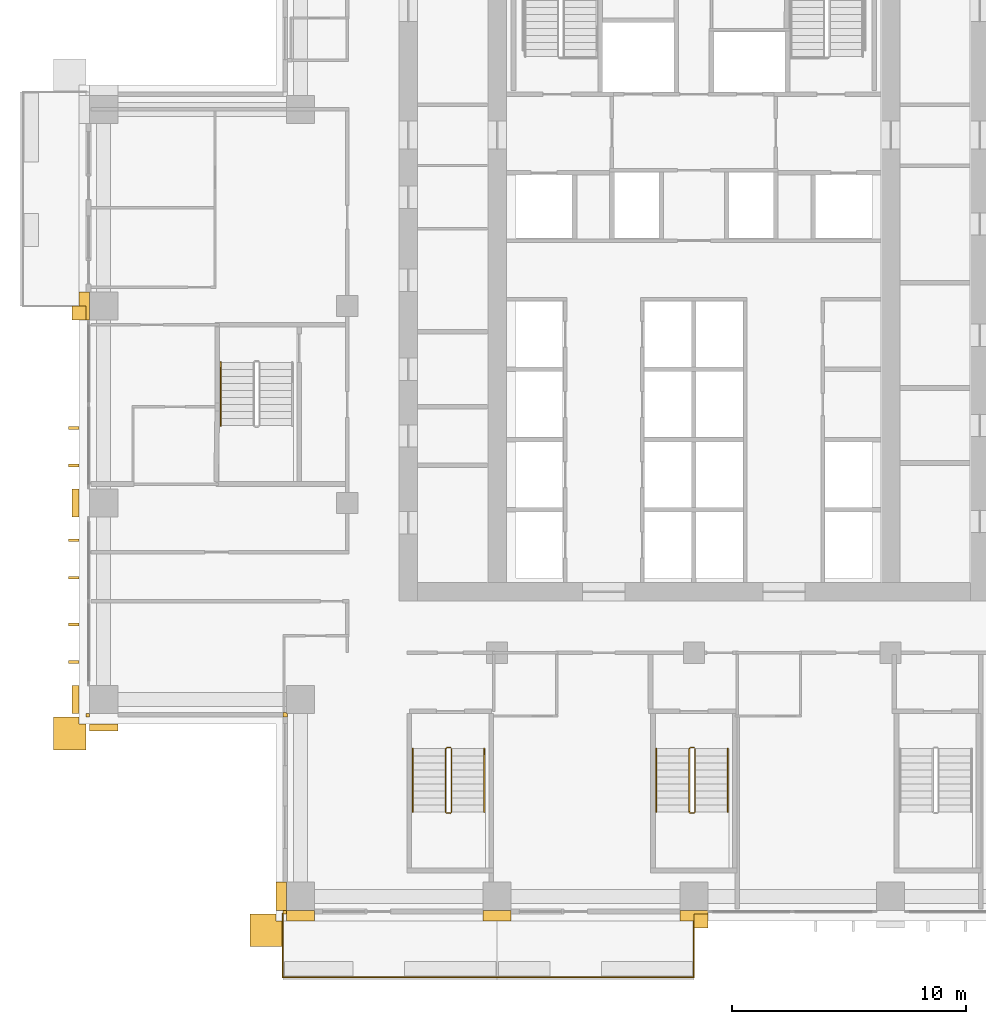
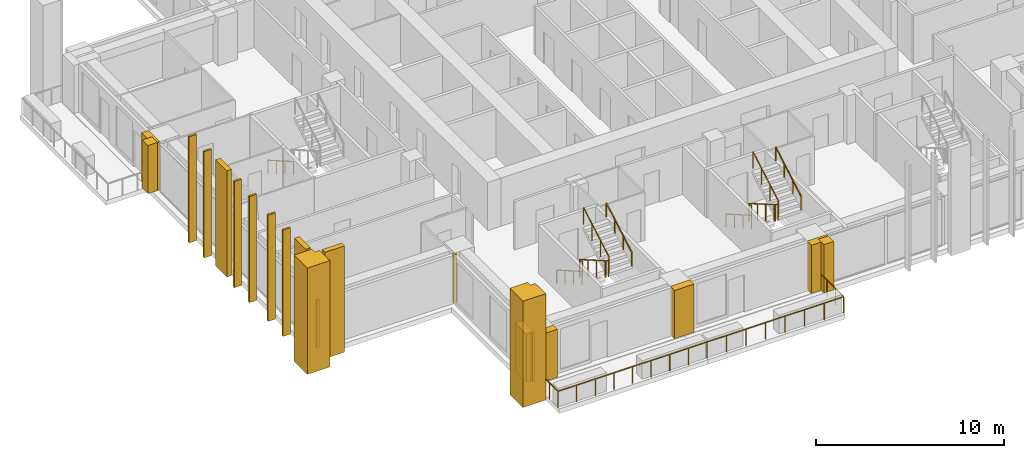
# One storey, part 13 of 17: 21 coverings, 9 railings.
"""IFC4 building model written with IfcOpenShell, lengths in metres."""

from ifc_helpers import new_model, si_unit, direction, frame, origin, origin_2d, place, context, subcontext, project, spatial, polyline, rectangle, outline, extrude, material, layer, layer_set, type_object, element, save


model = new_model("IFC4")

# Units and contexts
model_context = context("Model", 3, precision=1e-05, world=origin(), true_north=direction((0.0, 1.0)))
body_context = subcontext(model_context, "Body", "Model", "MODEL_VIEW")
ifc_project = project(units=[si_unit("LENGTHUNIT", "METRE"), si_unit("AREAUNIT", "SQUARE_METRE"), si_unit("VOLUMEUNIT", "CUBIC_METRE"), si_unit("PLANEANGLEUNIT", "RADIAN"), si_unit("MASSUNIT", "GRAM", prefix="KILO")], contexts=[model_context])

# Site, building, storey
site_placement = place(None, origin())
site = spatial("IfcSite", under=ifc_project, at=site_placement, CompositionType="ELEMENT")
building_placement = place(site_placement, origin())
building = spatial("IfcBuilding", under=site, at=building_placement, Name="Vermilion Ogive Tower", CompositionType="ELEMENT")
storey_placement = place(building_placement, frame((0.0, 0.0, 111.449951171875)))
storey = spatial("IfcBuildingStorey", under=building, at=storey_placement, Name="L28", CompositionType="ELEMENT", Elevation=111.449951171875)

# Railings
ifc_material_1 = material(Name="Stainless steel and glass", Category="steel")
railing_type_1 = type_object("IfcRailingType", Name="Balcony guard", PredefinedType="GUARDRAIL", material=ifc_material_1)
railing_1_placement = place(storey_placement, frame((-17.550048828125, -21.75, -0.0400390625)))
element("IfcRailing", 1, at=railing_1_placement, inside=storey, type_object=railing_type_1, Name="Guard S01", PredefinedType="GUARDRAIL", context=body_context, shape_type="SweptSolid", body=[
    extrude(rectangle(XDim=0.048095703125, YDim=0.048095703125, at=origin_2d()), frame((0.0, 0.0, 1.076171875), z_axis=(0.0, -1.0, 0.0), x_axis=(1.0, 0.0, 0.0)), (0.0, 0.0, 1.0), 2.7041015625),
    extrude(rectangle(XDim=0.048095703125, YDim=0.048095703125, at=origin_2d()), frame((0.0, -2.7041015625, 1.076171875), z_axis=(1.0, 0.0, 0.0), x_axis=(0.0, 1.0, 0.0)), (0.0, 0.0, 1.0), 9.150146484375),
    extrude(rectangle(XDim=0.0419921875, YDim=0.0419921875, at=origin_2d()), origin(), (0.0, 0.0, 1.0), 1.052001953125),
    extrude(rectangle(XDim=0.0419921875, YDim=0.0419921875, at=origin_2d()), frame((0.0, -0.9013671875, 0.0)), (0.0, 0.0, 1.0), 1.052001953125),
    extrude(rectangle(XDim=0.0419921875, YDim=0.0419921875, at=origin_2d()), frame((0.0, -1.802734375, 0.0)), (0.0, 0.0, 1.0), 1.052001953125),
    extrude(rectangle(XDim=0.0419921875, YDim=0.0419921875, at=origin_2d()), frame((0.0, -2.7041015625, 0.0)), (0.0, 0.0, 1.0), 1.052001953125),
    extrude(rectangle(XDim=0.0419921875, YDim=0.0419921875, at=origin_2d()), frame((1.143798828125, -2.7041015625, 0.0)), (0.0, 0.0, 1.0), 1.052001953125),
    extrude(rectangle(XDim=0.0419921875, YDim=0.0419921875, at=origin_2d()), frame((2.28759765625, -2.7041015625, 0.0)), (0.0, 0.0, 1.0), 1.052001953125),
    extrude(rectangle(XDim=0.0419921875, YDim=0.0419921875, at=origin_2d()), frame((3.431396484375, -2.7041015625, 0.0)), (0.0, 0.0, 1.0), 1.052001953125),
    extrude(rectangle(XDim=0.0419921875, YDim=0.0419921875, at=origin_2d()), frame((4.5751953125, -2.7041015625, 0.0)), (0.0, 0.0, 1.0), 1.052001953125),
    extrude(rectangle(XDim=0.0419921875, YDim=0.0419921875, at=origin_2d()), frame((5.71875, -2.7041015625, 0.0)), (0.0, 0.0, 1.0), 1.052001953125),
    extrude(rectangle(XDim=0.0419921875, YDim=0.0419921875, at=origin_2d()), frame((6.862548828125, -2.7041015625, 0.0)), (0.0, 0.0, 1.0), 1.052001953125),
    extrude(rectangle(XDim=0.0419921875, YDim=0.0419921875, at=origin_2d()), frame((8.00634765625, -2.7041015625, 0.0)), (0.0, 0.0, 1.0), 1.052001953125),
    extrude(rectangle(XDim=0.0419921875, YDim=0.0419921875, at=origin_2d()), frame((9.150146484375, -2.7041015625, 0.0)), (0.0, 0.0, 1.0), 1.052001953125),
])
railing_2_placement = place(storey_placement, frame((-8.39990234375, -24.4541015625, -0.0400390625)))
element("IfcRailing", 2, at=railing_2_placement, inside=storey, type_object=railing_type_1, Name="Guard S02", PredefinedType="GUARDRAIL", context=body_context, shape_type="SweptSolid", body=[
    extrude(rectangle(XDim=0.048095703125, YDim=0.048095703125, at=origin_2d()), frame((0.0, 0.0, 1.076171875), z_axis=(1.0, 0.0, 0.0), x_axis=(0.0, 1.0, 0.0)), (0.0, 0.0, 1.0), 8.39990234375),
    extrude(rectangle(XDim=0.048095703125, YDim=0.048095703125, at=origin_2d()), frame((8.39990234375, 0.0, 1.076171875), z_axis=(0.0, 1.0, 0.0), x_axis=(-1.0, 0.0, 0.0)), (0.0, 0.0, 1.0), 2.7041015625),
    extrude(rectangle(XDim=0.0419921875, YDim=0.0419921875, at=origin_2d()), origin(), (0.0, 0.0, 1.0), 1.052001953125),
    extrude(rectangle(XDim=0.0419921875, YDim=0.0419921875, at=origin_2d()), frame((1.199951171875, 0.0, 0.0)), (0.0, 0.0, 1.0), 1.052001953125),
    extrude(rectangle(XDim=0.0419921875, YDim=0.0419921875, at=origin_2d()), frame((2.39990234375, 0.0, 0.0)), (0.0, 0.0, 1.0), 1.052001953125),
    extrude(rectangle(XDim=0.0419921875, YDim=0.0419921875, at=origin_2d()), frame((3.599853515625, 0.0, 0.0)), (0.0, 0.0, 1.0), 1.052001953125),
    extrude(rectangle(XDim=0.0419921875, YDim=0.0419921875, at=origin_2d()), frame((4.800048828125, 0.0, 0.0)), (0.0, 0.0, 1.0), 1.052001953125),
    extrude(rectangle(XDim=0.0419921875, YDim=0.0419921875, at=origin_2d()), frame((6.0, 0.0, 0.0)), (0.0, 0.0, 1.0), 1.052001953125),
    extrude(rectangle(XDim=0.0419921875, YDim=0.0419921875, at=origin_2d()), frame((7.199951171875, 0.0, 0.0)), (0.0, 0.0, 1.0), 1.052001953125),
    extrude(rectangle(XDim=0.0419921875, YDim=0.0419921875, at=origin_2d()), frame((8.39990234375, 0.0, 0.0)), (0.0, 0.0, 1.0), 1.052001953125),
    extrude(rectangle(XDim=0.0419921875, YDim=0.0419921875, at=origin_2d()), frame((8.39990234375, 0.9013671875, 0.0)), (0.0, 0.0, 1.0), 1.052001953125),
    extrude(rectangle(XDim=0.0419921875, YDim=0.0419921875, at=origin_2d()), frame((8.39990234375, 1.802734375, 0.0)), (0.0, 0.0, 1.0), 1.052001953125),
    extrude(rectangle(XDim=0.0419921875, YDim=0.0419921875, at=origin_2d()), frame((8.39990234375, 2.7041015625, 0.0)), (0.0, 0.0, 1.0), 1.052001953125),
])

# Coverings
ifc_material_2 = material(Name="Glazed ceramic screen")
ifc_layer = layer(ifc_material_2, 0.14990234375)
ifc_layer_set = layer_set([ifc_layer], Name="Ceramic solar screen fin")
covering_type_1 = type_object("IfcCoveringType", Name="Ceramic solar screen fin", PredefinedType="CLADDING", material=ifc_layer_set)
covering_1_placement = place(storey_placement, frame((0.0, 0.0, -0.320068359375)))
element("IfcCovering", 3, at=covering_1_placement, inside=storey, type_object=covering_type_1, Name="Solar screen blade W991", PredefinedType="CLADDING", context=body_context, shape_type="SweptSolid", body=[
    extrude(outline(polyline([(-26.699951171875, -0.93994140625), (-26.699951171875, -1.06005859375), (-26.25, -1.06005859375), (-26.25, -0.93994140625), (-26.699951171875, -0.93994140625)])), origin(), (0.0, 0.0, 1.0), 6.900146484375),
])
covering_2_placement = place(storey_placement, frame((0.0, 0.0, -0.320068359375)))
element("IfcCovering", 4, at=covering_2_placement, inside=storey, type_object=covering_type_1, Name="Solar screen blade W992", PredefinedType="CLADDING", context=body_context, shape_type="SweptSolid", body=[
    extrude(outline(polyline([(-26.699951171875, -2.5400390625), (-26.699951171875, -2.659912109375), (-26.25, -2.659912109375), (-26.25, -2.5400390625), (-26.699951171875, -2.5400390625)])), origin(), (0.0, 0.0, 1.0), 6.900146484375),
])
covering_3_placement = place(storey_placement, frame((0.0, 0.0, -0.320068359375)))
element("IfcCovering", 5, at=covering_3_placement, inside=storey, type_object=covering_type_1, Name="Solar screen blade W971", PredefinedType="CLADDING", context=body_context, shape_type="SweptSolid", body=[
    extrude(outline(polyline([(-26.699951171875, -9.340087890625), (-26.699951171875, -9.4599609375), (-26.25, -9.4599609375), (-26.25, -9.340087890625), (-26.699951171875, -9.340087890625)])), origin(), (0.0, 0.0, 1.0), 6.900146484375),
])
covering_4_placement = place(storey_placement, frame((0.0, 0.0, -0.320068359375)))
element("IfcCovering", 6, at=covering_4_placement, inside=storey, type_object=covering_type_1, Name="Solar screen blade W972", PredefinedType="CLADDING", context=body_context, shape_type="SweptSolid", body=[
    extrude(outline(polyline([(-26.699951171875, -10.93994140625), (-26.699951171875, -11.06005859375), (-26.25, -11.06005859375), (-26.25, -10.93994140625), (-26.699951171875, -10.93994140625)])), origin(), (0.0, 0.0, 1.0), 6.900146484375),
])
covering_5_placement = place(storey_placement, frame((0.0, 0.0, -0.320068359375)))
element("IfcCovering", 7, at=covering_5_placement, inside=storey, type_object=covering_type_1, Name="Solar screen blade W981", PredefinedType="CLADDING", context=body_context, shape_type="SweptSolid", body=[
    extrude(outline(polyline([(-26.699951171875, -5.739990234375), (-26.699951171875, -5.860107421875), (-26.25, -5.860107421875), (-26.25, -5.739990234375), (-26.699951171875, -5.739990234375)])), origin(), (0.0, 0.0, 1.0), 6.900146484375),
])
covering_6_placement = place(storey_placement, frame((0.0, 0.0, -0.320068359375)))
element("IfcCovering", 8, at=covering_6_placement, inside=storey, type_object=covering_type_1, Name="Solar screen blade W982", PredefinedType="CLADDING", context=body_context, shape_type="SweptSolid", body=[
    extrude(outline(polyline([(-26.699951171875, -7.340087890625), (-26.699951171875, -7.4599609375), (-26.25, -7.4599609375), (-26.25, -7.340087890625), (-26.699951171875, -7.340087890625)])), origin(), (0.0, 0.0, 1.0), 6.900146484375),
])

# Railings
ifc_material_3 = material(Name="Steel S355 painted", Category="steel")
railing_type_2 = type_object("IfcRailingType", Name="Stair guard 1100", PredefinedType="GUARDRAIL", material=ifc_material_3)
railing_3_placement = place(storey_placement, frame((-10.39990234375, -14.64990234375, 0.0)))
element("IfcRailing", 9, at=railing_3_placement, inside=storey, type_object=railing_type_2, Name="L28 ST3 stair guard 4", PredefinedType="GUARDRAIL", context=body_context, shape_type="SweptSolid", body=[
    extrude(rectangle(XDim=0.048095703125, YDim=0.048095703125, at=origin_2d()), frame((0.0, 0.0, 1.076171875), z_axis=(-1.0, 0.0, 0.0), x_axis=(0.0, -1.0, 0.0)), (0.0, 0.0, 1.0), 0.150146484375),
    extrude(rectangle(XDim=0.048095703125, YDim=0.048095703125, at=origin_2d()), frame((-0.150146484375, 0.0, 1.076171875), z_axis=(-0.268277960024, -0.268277960024, 0.925231793839), x_axis=(0.707106781187, -0.707106781187, 0.0)), (0.0, 0.0, 1.0), 0.1865234375),
    extrude(rectangle(XDim=0.048095703125, YDim=0.048095703125, at=origin_2d()), frame((-0.2001953125, -0.050048828125, 1.24853515625), z_axis=(0.0, -0.866903762492, 0.498475542607), x_axis=(1.0, 0.0, 0.0)), (0.0, 0.0, 1.0), 3.114501953125),
    extrude(rectangle(XDim=0.048095703125, YDim=0.048095703125, at=origin_2d()), frame((-0.2001953125, -2.75, 2.80126953125), z_axis=(0.707106781187, -0.707106781187, 0.0), x_axis=(0.707106781187, 0.707106781187, 0.0)), (0.0, 0.0, 1.0), 0.07080078125),
    extrude(rectangle(XDim=0.048095703125, YDim=0.048095703125, at=origin_2d()), frame((-0.150146484375, -2.800048828125, 2.80126953125), z_axis=(1.0, 0.0, 0.0), x_axis=(0.0, 1.0, 0.0)), (0.0, 0.0, 1.0), 0.150146484375),
    extrude(rectangle(XDim=0.048095703125, YDim=0.048095703125, at=origin_2d()), frame((0.0, -2.800048828125, 2.80126953125), z_axis=(0.267386790225, 0.268697509785, 0.925368009307), x_axis=(-0.708833529934, 0.705375805398, 0.0)), (0.0, 0.0, 1.0), 0.186279296875),
    extrude(rectangle(XDim=0.048095703125, YDim=0.048095703125, at=origin_2d()), frame((0.0498046875, -2.75, 2.9736328125), z_axis=(0.0, 0.866903762492, 0.498475542607), x_axis=(-1.0, 0.0, 0.0)), (0.0, 0.0, 1.0), 3.114501953125),
    extrude(rectangle(XDim=0.0419921875, YDim=0.0419921875, at=origin_2d()), origin(), (0.0, 0.0, 1.0), 1.052001953125),
    extrude(rectangle(XDim=0.0419921875, YDim=0.0419921875, at=origin_2d()), frame((-0.150146484375, 0.0, 0.0)), (0.0, 0.0, 1.0), 1.052001953125),
    extrude(rectangle(XDim=0.0419921875, YDim=0.0419921875, at=origin_2d()), frame((-0.2001953125, -0.050048828125, 0.172607421875)), (0.0, 0.0, 1.0), 1.052001953125),
    extrude(rectangle(XDim=0.0419921875, YDim=0.0419921875, at=origin_2d()), frame((-0.2001953125, -0.949951171875, 0.690185546875)), (0.0, 0.0, 1.0), 1.052001953125),
    extrude(rectangle(XDim=0.0419921875, YDim=0.0419921875, at=origin_2d()), frame((-0.2001953125, -1.85009765625, 1.20751953125)), (0.0, 0.0, 1.0), 1.052001953125),
    extrude(rectangle(XDim=0.0419921875, YDim=0.0419921875, at=origin_2d()), frame((-0.2001953125, -2.75, 1.72509765625)), (0.0, 0.0, 1.0), 1.052001953125),
    extrude(rectangle(XDim=0.0419921875, YDim=0.0419921875, at=origin_2d()), frame((-0.150146484375, -2.800048828125, 1.72509765625)), (0.0, 0.0, 1.0), 1.052001953125),
    extrude(rectangle(XDim=0.0419921875, YDim=0.0419921875, at=origin_2d()), frame((0.0, -2.800048828125, 1.72509765625)), (0.0, 0.0, 1.0), 1.052001953125),
    extrude(rectangle(XDim=0.0419921875, YDim=0.0419921875, at=origin_2d()), frame((0.0498046875, -2.75, 1.8974609375)), (0.0, 0.0, 1.0), 1.052001953125),
    extrude(rectangle(XDim=0.0419921875, YDim=0.0419921875, at=origin_2d()), frame((0.0498046875, -1.85009765625, 2.4150390625)), (0.0, 0.0, 1.0), 1.052001953125),
    extrude(rectangle(XDim=0.0419921875, YDim=0.0419921875, at=origin_2d()), frame((0.0498046875, -0.949951171875, 2.932373046875)), (0.0, 0.0, 1.0), 1.052001953125),
    extrude(rectangle(XDim=0.0419921875, YDim=0.0419921875, at=origin_2d()), frame((0.0498046875, -0.050048828125, 3.449951171875)), (0.0, 0.0, 1.0), 1.052001953125),
])
railing_4_placement = place(storey_placement, frame((0.0, -14.64990234375, 0.0)))
element("IfcRailing", 10, at=railing_4_placement, inside=storey, type_object=railing_type_2, Name="L28 ST4 stair guard 4", PredefinedType="GUARDRAIL", context=body_context, shape_type="SweptSolid", body=[
    extrude(rectangle(XDim=0.048095703125, YDim=0.048095703125, at=origin_2d()), frame((0.0, 0.0, 1.076171875), z_axis=(-1.0, 0.0, 0.0), x_axis=(0.0, -1.0, 0.0)), (0.0, 0.0, 1.0), 0.14990234375),
    extrude(rectangle(XDim=0.048095703125, YDim=0.048095703125, at=origin_2d()), frame((-0.14990234375, 0.0, 1.076171875), z_axis=(-0.268277960024, -0.268277960024, 0.925231793839), x_axis=(0.707106781187, -0.707106781187, 0.0)), (0.0, 0.0, 1.0), 0.1865234375),
    extrude(rectangle(XDim=0.048095703125, YDim=0.048095703125, at=origin_2d()), frame((-0.199951171875, -0.050048828125, 1.24853515625), z_axis=(0.0, -0.866903762492, 0.498475542607), x_axis=(1.0, 0.0, 0.0)), (0.0, 0.0, 1.0), 3.114501953125),
    extrude(rectangle(XDim=0.048095703125, YDim=0.048095703125, at=origin_2d()), frame((-0.199951171875, -2.75, 2.80126953125), z_axis=(0.707106781187, -0.707106781187, 0.0), x_axis=(0.707106781187, 0.707106781187, 0.0)), (0.0, 0.0, 1.0), 0.07080078125),
    extrude(rectangle(XDim=0.048095703125, YDim=0.048095703125, at=origin_2d()), frame((-0.14990234375, -2.800048828125, 2.80126953125), z_axis=(1.0, 0.0, 0.0), x_axis=(0.0, 1.0, 0.0)), (0.0, 0.0, 1.0), 0.14990234375),
    extrude(rectangle(XDim=0.048095703125, YDim=0.048095703125, at=origin_2d()), frame((0.0, -2.800048828125, 2.80126953125), z_axis=(0.268603158521, 0.268603158521, 0.925043072762), x_axis=(-0.707106781187, 0.707106781187, 0.0)), (0.0, 0.0, 1.0), 0.186279296875),
    extrude(rectangle(XDim=0.048095703125, YDim=0.048095703125, at=origin_2d()), frame((0.050048828125, -2.75, 2.9736328125), z_axis=(0.0, 0.866903762492, 0.498475542607), x_axis=(-1.0, 0.0, 0.0)), (0.0, 0.0, 1.0), 3.114501953125),
    extrude(rectangle(XDim=0.0419921875, YDim=0.0419921875, at=origin_2d()), origin(), (0.0, 0.0, 1.0), 1.052001953125),
    extrude(rectangle(XDim=0.0419921875, YDim=0.0419921875, at=origin_2d()), frame((-0.14990234375, 0.0, 0.0)), (0.0, 0.0, 1.0), 1.052001953125),
    extrude(rectangle(XDim=0.0419921875, YDim=0.0419921875, at=origin_2d()), frame((-0.199951171875, -0.050048828125, 0.172607421875)), (0.0, 0.0, 1.0), 1.052001953125),
    extrude(rectangle(XDim=0.0419921875, YDim=0.0419921875, at=origin_2d()), frame((-0.199951171875, -0.949951171875, 0.690185546875)), (0.0, 0.0, 1.0), 1.052001953125),
    extrude(rectangle(XDim=0.0419921875, YDim=0.0419921875, at=origin_2d()), frame((-0.199951171875, -1.85009765625, 1.20751953125)), (0.0, 0.0, 1.0), 1.052001953125),
    extrude(rectangle(XDim=0.0419921875, YDim=0.0419921875, at=origin_2d()), frame((-0.199951171875, -2.75, 1.72509765625)), (0.0, 0.0, 1.0), 1.052001953125),
    extrude(rectangle(XDim=0.0419921875, YDim=0.0419921875, at=origin_2d()), frame((-0.14990234375, -2.800048828125, 1.72509765625)), (0.0, 0.0, 1.0), 1.052001953125),
    extrude(rectangle(XDim=0.0419921875, YDim=0.0419921875, at=origin_2d()), frame((0.0, -2.800048828125, 1.72509765625)), (0.0, 0.0, 1.0), 1.052001953125),
    extrude(rectangle(XDim=0.0419921875, YDim=0.0419921875, at=origin_2d()), frame((0.050048828125, -2.75, 1.8974609375)), (0.0, 0.0, 1.0), 1.052001953125),
    extrude(rectangle(XDim=0.0419921875, YDim=0.0419921875, at=origin_2d()), frame((0.050048828125, -1.85009765625, 2.4150390625)), (0.0, 0.0, 1.0), 1.052001953125),
    extrude(rectangle(XDim=0.0419921875, YDim=0.0419921875, at=origin_2d()), frame((0.050048828125, -0.949951171875, 2.932373046875)), (0.0, 0.0, 1.0), 1.052001953125),
    extrude(rectangle(XDim=0.0419921875, YDim=0.0419921875, at=origin_2d()), frame((0.050048828125, -0.050048828125, 3.449951171875)), (0.0, 0.0, 1.0), 1.052001953125),
])
ifc_material_4 = material(Name="Stainless steel", Category="steel")
railing_type_3 = type_object("IfcRailingType", Name="Stair handrail 900", PredefinedType="HANDRAIL", material=ifc_material_4)
railing_5_placement = place(storey_placement, frame((-12.0, -14.699951171875, 0.172607421875)))
element("IfcRailing", 11, at=railing_5_placement, inside=storey, type_object=railing_type_3, Name="L28 ST3 stair handrail 1", PredefinedType="HANDRAIL", context=body_context, shape_type="SweptSolid", body=[
    extrude(rectangle(XDim=0.048095703125, YDim=0.048095703125, at=origin_2d()), frame((0.0, 0.0, 0.8759765625), z_axis=(0.0, -0.866903762492, 0.498475542607), x_axis=(1.0, 0.0, 0.0)), (0.0, 0.0, 1.0), 3.114501953125),
    extrude(rectangle(XDim=0.0419921875, YDim=0.0419921875, at=origin_2d()), origin(), (0.0, 0.0, 1.0), 0.851806640625),
    extrude(rectangle(XDim=0.0419921875, YDim=0.0419921875, at=origin_2d()), frame((0.0, -0.89990234375, 0.517578125)), (0.0, 0.0, 1.0), 0.851806640625),
    extrude(rectangle(XDim=0.0419921875, YDim=0.0419921875, at=origin_2d()), frame((0.0, -1.800048828125, 1.034912109375)), (0.0, 0.0, 1.0), 0.851806640625),
    extrude(rectangle(XDim=0.0419921875, YDim=0.0419921875, at=origin_2d()), frame((0.0, -2.699951171875, 1.552490234375)), (0.0, 0.0, 1.0), 0.851806640625),
])
railing_6_placement = place(storey_placement, frame((-8.949951171875, -17.39990234375, 1.8974609375)))
element("IfcRailing", 12, at=railing_6_placement, inside=storey, type_object=railing_type_3, Name="L28 ST3 stair handrail 2", PredefinedType="HANDRAIL", context=body_context, shape_type="SweptSolid", body=[
    extrude(rectangle(XDim=0.048095703125, YDim=0.048095703125, at=origin_2d()), frame((0.0, 0.0, 0.8759765625), z_axis=(0.0, 0.866903762492, 0.498475542607), x_axis=(-1.0, 0.0, 0.0)), (0.0, 0.0, 1.0), 3.114501953125),
    extrude(rectangle(XDim=0.0419921875, YDim=0.0419921875, at=origin_2d()), origin(), (0.0, 0.0, 1.0), 0.851806640625),
    extrude(rectangle(XDim=0.0419921875, YDim=0.0419921875, at=origin_2d()), frame((0.0, 0.89990234375, 0.517578125)), (0.0, 0.0, 1.0), 0.851806640625),
    extrude(rectangle(XDim=0.0419921875, YDim=0.0419921875, at=origin_2d()), frame((0.0, 1.800048828125, 1.034912109375)), (0.0, 0.0, 1.0), 0.851806640625),
    extrude(rectangle(XDim=0.0419921875, YDim=0.0419921875, at=origin_2d()), frame((0.0, 2.699951171875, 1.552490234375)), (0.0, 0.0, 1.0), 0.851806640625),
])
railing_7_placement = place(storey_placement, frame((-1.60009765625, -14.699951171875, 0.172607421875)))
element("IfcRailing", 13, at=railing_7_placement, inside=storey, type_object=railing_type_3, Name="L28 ST4 stair handrail 1", PredefinedType="HANDRAIL", context=body_context, shape_type="SweptSolid", body=[
    extrude(rectangle(XDim=0.048095703125, YDim=0.048095703125, at=origin_2d()), frame((0.0, 0.0, 0.8759765625), z_axis=(0.0, -0.866903762492, 0.498475542607), x_axis=(1.0, 0.0, 0.0)), (0.0, 0.0, 1.0), 3.114501953125),
    extrude(rectangle(XDim=0.0419921875, YDim=0.0419921875, at=origin_2d()), origin(), (0.0, 0.0, 1.0), 0.851806640625),
    extrude(rectangle(XDim=0.0419921875, YDim=0.0419921875, at=origin_2d()), frame((0.0, -0.89990234375, 0.517578125)), (0.0, 0.0, 1.0), 0.851806640625),
    extrude(rectangle(XDim=0.0419921875, YDim=0.0419921875, at=origin_2d()), frame((0.0, -1.800048828125, 1.034912109375)), (0.0, 0.0, 1.0), 0.851806640625),
    extrude(rectangle(XDim=0.0419921875, YDim=0.0419921875, at=origin_2d()), frame((0.0, -2.699951171875, 1.552490234375)), (0.0, 0.0, 1.0), 0.851806640625),
])
railing_8_placement = place(storey_placement, frame((1.449951171875, -17.39990234375, 1.8974609375)))
element("IfcRailing", 14, at=railing_8_placement, inside=storey, type_object=railing_type_3, Name="L28 ST4 stair handrail 2", PredefinedType="HANDRAIL", context=body_context, shape_type="SweptSolid", body=[
    extrude(rectangle(XDim=0.048095703125, YDim=0.048095703125, at=origin_2d()), frame((0.0, 0.0, 0.8759765625), z_axis=(0.0, 0.866903762492, 0.498475542607), x_axis=(-1.0, 0.0, 0.0)), (0.0, 0.0, 1.0), 3.114501953125),
    extrude(rectangle(XDim=0.0419921875, YDim=0.0419921875, at=origin_2d()), origin(), (0.0, 0.0, 1.0), 0.851806640625),
    extrude(rectangle(XDim=0.0419921875, YDim=0.0419921875, at=origin_2d()), frame((0.0, 0.89990234375, 0.517578125)), (0.0, 0.0, 1.0), 0.851806640625),
    extrude(rectangle(XDim=0.0419921875, YDim=0.0419921875, at=origin_2d()), frame((0.0, 1.800048828125, 1.034912109375)), (0.0, 0.0, 1.0), 0.851806640625),
    extrude(rectangle(XDim=0.0419921875, YDim=0.0419921875, at=origin_2d()), frame((0.0, 2.699951171875, 1.552490234375)), (0.0, 0.0, 1.0), 0.851806640625),
])
railing_9_placement = place(storey_placement, frame((-20.199951171875, 1.800048828125, 0.172607421875)))
element("IfcRailing", 15, at=railing_9_placement, inside=storey, type_object=railing_type_3, Name="L28 ST9 stair handrail 1", PredefinedType="HANDRAIL", context=body_context, shape_type="SweptSolid", body=[
    extrude(rectangle(XDim=0.048095703125, YDim=0.048095703125, at=origin_2d()), frame((0.0, 0.0, 0.8759765625), z_axis=(0.0, -0.866903762492, 0.498475542607), x_axis=(1.0, 0.0, 0.0)), (0.0, 0.0, 1.0), 3.114501953125),
    extrude(rectangle(XDim=0.0419921875, YDim=0.0419921875, at=origin_2d()), origin(), (0.0, 0.0, 1.0), 0.851806640625),
    extrude(rectangle(XDim=0.0419921875, YDim=0.0419921875, at=origin_2d()), frame((0.0, -0.89990234375, 0.517578125)), (0.0, 0.0, 1.0), 0.851806640625),
    extrude(rectangle(XDim=0.0419921875, YDim=0.0419921875, at=origin_2d()), frame((0.0, -1.800048828125, 1.034912109375)), (0.0, 0.0, 1.0), 0.851806640625),
    extrude(rectangle(XDim=0.0419921875, YDim=0.0419921875, at=origin_2d()), frame((0.0, -2.699951171875, 1.552490234375)), (0.0, 0.0, 1.0), 0.851806640625),
])

# Coverings
ifc_material_5 = material(Name="Stone cladding", Category="masonry")
covering_type_2 = type_object("IfcCoveringType", Name="Stone corner buttress", PredefinedType="CLADDING", material=ifc_material_5)
covering_7_placement = place(storey_placement, origin())
element("IfcCovering", 16, at=covering_7_placement, inside=storey, type_object=covering_type_2, Name="Stone crease pier SK", PredefinedType="CLADDING", context=body_context, shape_type="SweptSolid", body=[
    extrude(outline(polyline([(0.0, -22.35009765625), (0.60009765625, -22.35009765625), (0.60009765625, -21.75), (0.0, -21.75), (0.0, -22.35009765625)])), origin(), (0.0, 0.0, 1.0), 3.130126953125),
])
covering_8_placement = place(storey_placement, origin())
element("IfcCovering", 17, at=covering_8_placement, inside=storey, type_object=covering_type_2, Name="Stone crease pier WK", PredefinedType="CLADDING", context=body_context, shape_type="SweptSolid", body=[
    extrude(outline(polyline([(-26.550048828125, 4.199951171875), (-26.550048828125, 3.60009765625), (-25.949951171875, 3.60009765625), (-25.949951171875, 4.199951171875), (-26.550048828125, 4.199951171875)])), origin(), (0.0, 0.0, 1.0), 3.130126953125),
])
covering_9_placement = place(storey_placement, frame((0.0, 0.0, -0.320068359375)))
element("IfcCovering", 18, at=covering_9_placement, inside=storey, type_object=covering_type_2, Name="Stone corner buttress S1", PredefinedType="CLADDING", context=body_context, shape_type="SweptSolid", body=[
    extrude(outline(polyline([(-17.85009765625, -22.050048828125), (-17.550048828125, -22.050048828125), (-17.550048828125, -23.14990234375), (-18.949951171875, -23.14990234375), (-18.949951171875, -21.75), (-17.85009765625, -21.75), (-17.85009765625, -22.050048828125)])), origin(), (0.0, 0.0, 1.0), 6.900146484375),
])
covering_10_placement = place(storey_placement, frame((0.0, 0.0, -0.320068359375)))
element("IfcCovering", 19, at=covering_10_placement, inside=storey, type_object=covering_type_2, Name="Stone corner buttress X71", PredefinedType="CLADDING", context=body_context, shape_type="SweptSolid", body=[
    extrude(outline(polyline([(-26.25, -13.35009765625), (-26.25, -13.64990234375), (-25.949951171875, -13.64990234375), (-25.949951171875, -14.75), (-27.35009765625, -14.75), (-27.35009765625, -13.35009765625), (-26.25, -13.35009765625)])), origin(), (0.0, 0.0, 1.0), 6.900146484375),
])
ifc_material_6 = material(Name="Stone cladding", Category="masonry")
covering_type_3 = type_object("IfcCoveringType", Name="Stone pier", PredefinedType="CLADDING", material=ifc_material_6)
covering_11_placement = place(storey_placement, origin())
element("IfcCovering", 20, at=covering_11_placement, inside=storey, type_object=covering_type_3, Name="Stone corner pier WE1", PredefinedType="CLADDING", context=body_context, shape_type="SweptSolid", body=[
    extrude(outline(polyline([(-25.949951171875, -13.199951171875), (-25.800048828125, -13.199951171875), (-25.800048828125, -13.35009765625), (-25.949951171875, -13.35009765625), (-25.949951171875, -13.199951171875)])), origin(), (0.0, 0.0, 1.0), 3.130126953125),
])
covering_12_placement = place(storey_placement, origin())
element("IfcCovering", 21, at=covering_12_placement, inside=storey, type_object=covering_type_3, Name="Stone corner pier X7E1", PredefinedType="CLADDING", context=body_context, shape_type="SweptSolid", body=[
    extrude(outline(polyline([(-17.39990234375, -13.14990234375), (-17.39990234375, -13.199951171875), (-17.35009765625, -13.199951171875), (-17.35009765625, -13.35009765625), (-17.550048828125, -13.35009765625), (-17.550048828125, -13.14990234375), (-17.39990234375, -13.14990234375)])), origin(), (0.0, 0.0, 1.0), 3.130126953125),
])
covering_13_placement = place(storey_placement, origin())
element("IfcCovering", 22, at=covering_13_placement, inside=storey, type_object=covering_type_3, Name="Stone corner pier X8E1", PredefinedType="CLADDING", context=body_context, shape_type="SweptSolid", body=[
    extrude(outline(polyline([(-17.550048828125, -21.60009765625), (-17.39990234375, -21.60009765625), (-17.39990234375, -21.60009765625), (-17.39990234375, -21.75), (-17.550048828125, -21.75), (-17.550048828125, -21.60009765625)])), origin(), (0.0, 0.0, 1.0), 3.130126953125),
])
covering_14_placement = place(storey_placement, frame((0.0, 0.0, -0.320068359375)))
element("IfcCovering", 23, at=covering_14_placement, inside=storey, type_object=covering_type_3, Name="Stone pier P-0252-042", PredefinedType="CLADDING", context=body_context, shape_type="SweptSolid", body=[
    extrude(outline(polyline([(-26.550048828125, -4.800048828125), (-26.550048828125, -3.60009765625), (-26.25, -3.60009765625), (-26.25, -4.800048828125), (-26.550048828125, -4.800048828125)])), origin(), (0.0, 0.0, 1.0), 6.900146484375),
])
covering_15_placement = place(storey_placement, frame((0.0, 0.0, -0.320068359375)))
element("IfcCovering", 24, at=covering_15_placement, inside=storey, type_object=covering_type_3, Name="Stone pier P-0252-126W", PredefinedType="CLADDING", context=body_context, shape_type="SweptSolid", body=[
    extrude(outline(polyline([(-26.550048828125, -13.199951171875), (-26.550048828125, -12.0), (-26.25, -12.0), (-26.25, -13.199951171875), (-26.550048828125, -13.199951171875)])), origin(), (0.0, 0.0, 1.0), 6.900146484375),
])
covering_16_placement = place(storey_placement, frame((0.0, 0.0, -0.320068359375)))
element("IfcCovering", 25, at=covering_16_placement, inside=storey, type_object=covering_type_3, Name="Stone pier P-0252-126X7", PredefinedType="CLADDING", context=body_context, shape_type="SweptSolid", body=[
    extrude(outline(polyline([(-25.800048828125, -13.949951171875), (-25.800048828125, -13.64990234375), (-24.60009765625, -13.64990234375), (-24.60009765625, -13.949951171875), (-25.800048828125, -13.949951171875)])), origin(), (0.0, 0.0, 1.0), 6.900146484375),
])
covering_17_placement = place(storey_placement, origin())
element("IfcCovering", 26, at=covering_17_placement, inside=storey, type_object=covering_type_3, Name="Stone pier P+0000-210", PredefinedType="CLADDING", context=body_context, shape_type="SweptSolid", body=[
    extrude(outline(polyline([(0.60009765625, -21.60009765625), (0.60009765625, -21.60009765625), (0.60009765625, -22.050048828125), (0.60009765625, -22.050048828125), (0.60009765625, -21.75), (0.0, -21.75), (0.0, -22.050048828125), (-0.60009765625, -22.050048828125), (-0.60009765625, -21.60009765625), (-0.60009765625, -21.60009765625), (0.60009765625, -21.60009765625)])), origin(), (0.0, 0.0, 1.0), 3.130126953125),
])
covering_18_placement = place(storey_placement, origin())
element("IfcCovering", 27, at=covering_18_placement, inside=storey, type_object=covering_type_3, Name="Stone pier P-0084-210", PredefinedType="CLADDING", context=body_context, shape_type="SweptSolid", body=[
    extrude(outline(polyline([(-7.800048828125, -22.050048828125), (-9.0, -22.050048828125), (-9.0, -21.60009765625), (-7.800048828125, -21.60009765625), (-7.800048828125, -22.050048828125)])), origin(), (0.0, 0.0, 1.0), 3.130126953125),
])
covering_19_placement = place(storey_placement, origin())
element("IfcCovering", 28, at=covering_19_placement, inside=storey, type_object=covering_type_3, Name="Stone pier P-0168-210S", PredefinedType="CLADDING", context=body_context, shape_type="SweptSolid", body=[
    extrude(outline(polyline([(-16.199951171875, -22.050048828125), (-17.39990234375, -22.050048828125), (-17.39990234375, -21.60009765625), (-16.199951171875, -21.60009765625), (-16.199951171875, -22.050048828125)])), origin(), (0.0, 0.0, 1.0), 3.130126953125),
])
covering_20_placement = place(storey_placement, origin())
element("IfcCovering", 29, at=covering_20_placement, inside=storey, type_object=covering_type_3, Name="Stone pier P-0168-210X8", PredefinedType="CLADDING", context=body_context, shape_type="SweptSolid", body=[
    extrude(outline(polyline([(-17.85009765625, -20.39990234375), (-17.39990234375, -20.39990234375), (-17.39990234375, -21.60009765625), (-17.85009765625, -21.60009765625), (-17.85009765625, -20.39990234375)])), origin(), (0.0, 0.0, 1.0), 3.130126953125),
])
covering_21_placement = place(storey_placement, origin())
element("IfcCovering", 30, at=covering_21_placement, inside=storey, type_object=covering_type_3, Name="Stone pier P-0252+042", PredefinedType="CLADDING", context=body_context, shape_type="SweptSolid", body=[
    extrude(outline(polyline([(-25.800048828125, 3.60009765625), (-25.949951171875, 3.60009765625), (-25.949951171875, 4.199951171875), (-26.25, 4.199951171875), (-26.25, 4.800048828125), (-25.800048828125, 4.800048828125), (-25.800048828125, 4.800048828125), (-25.800048828125, 3.60009765625)])), origin(), (0.0, 0.0, 1.0), 3.130126953125),
])

save(model, "model.ifc")
